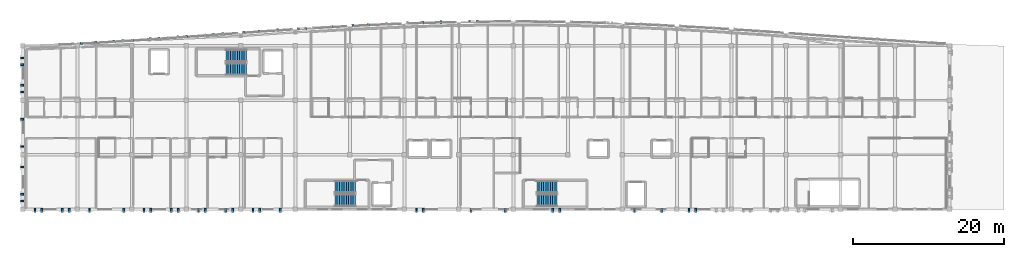
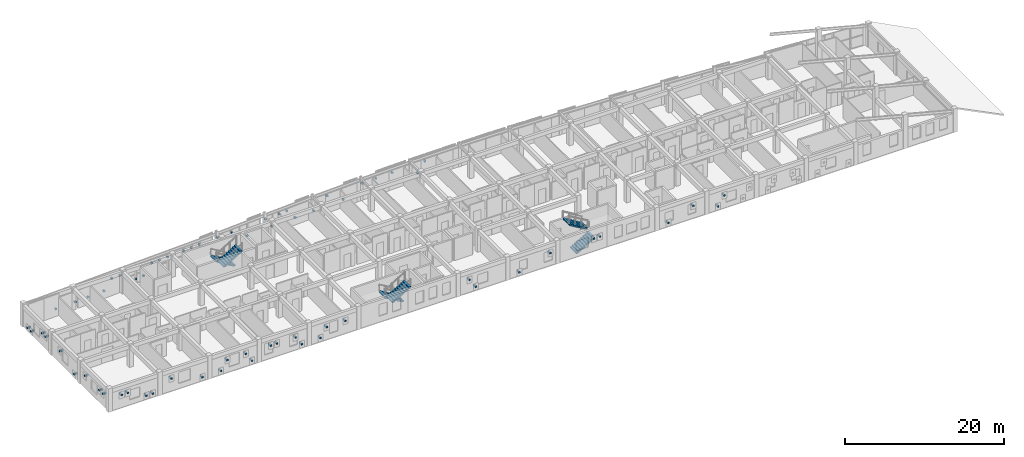
# One storey, part 42 of 45: 66 discrete accessories, 6 stair flights, 3 elements without a shape of their own.
"""IFC4 building model written with IfcOpenShell, lengths in metres."""

from ifc_helpers import new_model, si_unit, direction, frame, origin, origin_2d, place, context, subcontext, project, spatial, polyline, rectangle, outline, extrude, material, type_object, element, aggregate, save


model = new_model("IFC4")

# Units and contexts
model_context = context("Model", 3, precision=1e-05, world=origin(), true_north=direction((0.0, 1.0)))
body_context = subcontext(model_context, "Body", "Model", "MODEL_VIEW")
ifc_project = project(units=[si_unit("LENGTHUNIT", "METRE"), si_unit("AREAUNIT", "SQUARE_METRE"), si_unit("VOLUMEUNIT", "CUBIC_METRE"), si_unit("PLANEANGLEUNIT", "RADIAN"), si_unit("MASSUNIT", "GRAM", prefix="KILO")], contexts=[model_context])

# Site, building, storey
site_placement = place(None, origin())
site = spatial("IfcSite", under=ifc_project, at=site_placement, CompositionType="ELEMENT")
building_placement = place(site_placement, origin())
building = spatial("IfcBuilding", under=site, at=building_placement, Name="Carrowvane Square Congress Hotel", CompositionType="ELEMENT")
storey_placement = place(building_placement, frame((0.0, 0.0, 33.60009765625)))
storey = spatial("IfcBuildingStorey", under=building, at=storey_placement, Name="L08", CompositionType="ELEMENT", Elevation=33.60009765625)

# Stair, stair flights
ifc_material_1 = material(Name="Concrete C35/45", Category="concrete")
stair_type = type_object("IfcStairType", Name="STR-DOG-02", PredefinedType="HALF_TURN_STAIR", material=ifc_material_1)
stair_1_placement = place(storey_placement, origin())
stair_1 = element("IfcStair", 1, at=stair_1_placement, inside=storey, type_object=stair_type, Name="L08 Core C1 West Hotel Firefighting Stair", PredefinedType="HALF_TURN_STAIR")
ifc_material_2 = material(Name="Concrete C35/45", Category="concrete")
stair_flight_type = type_object("IfcStairFlightType", Name="SFL-STR-02", PredefinedType="STRAIGHT", material=ifc_material_2)
stair_flight_1_placement = place(storey_placement, frame((62.719970703125, 112.110107421875, 0.0), z_axis=(0.0, 0.0, 1.0), x_axis=(-1.0, 0.0, 0.0)))
stair_flight_1 = element("IfcStairFlight", 2, at=stair_flight_1_placement, type_object=stair_flight_type, Name="ST1 flight 1", NumberOfRisers=10, NumberOfTreads=9, PredefinedType="STRAIGHT", RiserHeight=0.18, TreadLength=0.3, context=body_context, shape_type="SweptSolid", body=[
    extrude(outline(polyline([(0.0, 0.0), (0.0, 0.179931640625), (0.300048828125, 0.179931640625), (0.300048828125, 0.360107421875), (0.60009765625, 0.360107421875), (0.60009765625, 0.5400390625), (0.89990234375, 0.5400390625), (0.89990234375, 0.719970703125), (1.199951171875, 0.719970703125), (1.199951171875, 0.89990234375), (1.5, 0.89990234375), (1.5, 1.080078125), (1.800048828125, 1.080078125), (1.800048828125, 1.260009765625), (2.10009765625, 1.260009765625), (2.10009765625, 1.43994140625), (2.39990234375, 1.43994140625), (2.39990234375, 1.6201171875), (2.699951171875, 1.6201171875), (2.699951171875, 1.800048828125), (2.699951171875, 1.445068359375), (0.291259765625, 0.0), (0.0, 0.0)])), frame((0.0, 0.7900390625, 0.0), z_axis=(0.0, -1.0, 0.0), x_axis=(1.0, 0.0, 0.0)), (0.0, 0.0, 1.0), 1.580078125),
])
stair_flight_2_placement = place(storey_placement, frame((60.02001953125, 110.330078125, 1.7998046875), z_axis=(0.0, 0.0, 1.0), x_axis=(1.0, 0.0, 0.0)))
stair_flight_2 = element("IfcStairFlight", 3, at=stair_flight_2_placement, type_object=stair_flight_type, Name="ST1 flight 2", NumberOfRisers=10, NumberOfTreads=9, PredefinedType="STRAIGHT", RiserHeight=0.18, TreadLength=0.3, context=body_context, shape_type="SweptSolid", body=[
    extrude(outline(polyline([(0.0, 0.0), (0.0, 0.179931640625), (0.300048828125, 0.179931640625), (0.300048828125, 0.360107421875), (0.60009765625, 0.360107421875), (0.60009765625, 0.5400390625), (0.89990234375, 0.5400390625), (0.89990234375, 0.719970703125), (1.199951171875, 0.719970703125), (1.199951171875, 0.89990234375), (1.5, 0.89990234375), (1.5, 1.080078125), (1.800048828125, 1.080078125), (1.800048828125, 1.260009765625), (2.10009765625, 1.260009765625), (2.10009765625, 1.43994140625), (2.39990234375, 1.43994140625), (2.39990234375, 1.6201171875), (2.699951171875, 1.6201171875), (2.699951171875, 1.800048828125), (2.699951171875, 1.445068359375), (0.291259765625, 0.0), (0.0, 0.0)])), frame((0.0, 0.7900390625, 0.0), z_axis=(0.0, -1.0, 0.0), x_axis=(1.0, 0.0, 0.0)), (0.0, 0.0, 1.0), 1.580078125),
])
aggregate(stair_1, [stair_flight_1, stair_flight_2])

stair_2_placement = place(storey_placement, origin())
stair_2 = element("IfcStair", 4, at=stair_2_placement, inside=storey, type_object=stair_type, Name="L08 Core C2 Central Hotel Firefighting Stair", PredefinedType="HALF_TURN_STAIR")
stair_flight_3_placement = place(storey_placement, frame((77.1201171875, 94.77001953125, 0.0), z_axis=(0.0, 0.0, 1.0), x_axis=(-1.0, 0.0, 0.0)))
stair_flight_3 = element("IfcStairFlight", 5, at=stair_flight_3_placement, type_object=stair_flight_type, Name="ST2 flight 1", NumberOfRisers=10, NumberOfTreads=9, PredefinedType="STRAIGHT", RiserHeight=0.18, TreadLength=0.3, context=body_context, shape_type="SweptSolid", body=[
    extrude(outline(polyline([(0.0, 0.0), (0.0, 0.179931640625), (0.300048828125, 0.179931640625), (0.300048828125, 0.360107421875), (0.60009765625, 0.360107421875), (0.60009765625, 0.5400390625), (0.89990234375, 0.5400390625), (0.89990234375, 0.719970703125), (1.199951171875, 0.719970703125), (1.199951171875, 0.89990234375), (1.5, 0.89990234375), (1.5, 1.080078125), (1.800048828125, 1.080078125), (1.800048828125, 1.260009765625), (2.10009765625, 1.260009765625), (2.10009765625, 1.43994140625), (2.39990234375, 1.43994140625), (2.39990234375, 1.6201171875), (2.699951171875, 1.6201171875), (2.699951171875, 1.800048828125), (2.699951171875, 1.445068359375), (0.291259765625, 0.0), (0.0, 0.0)])), frame((0.0, 0.7900390625, 0.0), z_axis=(0.0, -1.0, 0.0), x_axis=(1.0, 0.0, 0.0)), (0.0, 0.0, 1.0), 1.580078125),
])
stair_flight_4_placement = place(storey_placement, frame((74.419921875, 92.989990234375, 1.7998046875), z_axis=(0.0, 0.0, 1.0), x_axis=(1.0, 0.0, 0.0)))
stair_flight_4 = element("IfcStairFlight", 6, at=stair_flight_4_placement, type_object=stair_flight_type, Name="ST2 flight 2", NumberOfRisers=10, NumberOfTreads=9, PredefinedType="STRAIGHT", RiserHeight=0.18, TreadLength=0.3, context=body_context, shape_type="SweptSolid", body=[
    extrude(outline(polyline([(0.0, 0.0), (0.0, 0.179931640625), (0.300048828125, 0.179931640625), (0.300048828125, 0.360107421875), (0.60009765625, 0.360107421875), (0.60009765625, 0.5400390625), (0.89990234375, 0.5400390625), (0.89990234375, 0.719970703125), (1.199951171875, 0.719970703125), (1.199951171875, 0.89990234375), (1.5, 0.89990234375), (1.5, 1.080078125), (1.800048828125, 1.080078125), (1.800048828125, 1.260009765625), (2.10009765625, 1.260009765625), (2.10009765625, 1.43994140625), (2.39990234375, 1.43994140625), (2.39990234375, 1.6201171875), (2.699951171875, 1.6201171875), (2.699951171875, 1.800048828125), (2.699951171875, 1.445068359375), (0.291259765625, 0.0), (0.0, 0.0)])), frame((0.0, 0.7900390625, 0.0), z_axis=(0.0, -1.0, 0.0), x_axis=(1.0, 0.0, 0.0)), (0.0, 0.0, 1.0), 1.580078125),
])
aggregate(stair_2, [stair_flight_3, stair_flight_4])

stair_3_placement = place(storey_placement, origin())
stair_3 = element("IfcStair", 7, at=stair_3_placement, inside=storey, type_object=stair_type, Name="L08 Core C3 East Hotel Escape Stair", PredefinedType="HALF_TURN_STAIR")
stair_flight_5_placement = place(storey_placement, frame((101.080078125, 92.989990234375, 0.0), z_axis=(0.0, 0.0, 1.0), x_axis=(1.0, 0.0, 0.0)))
stair_flight_5 = element("IfcStairFlight", 8, at=stair_flight_5_placement, type_object=stair_flight_type, Name="ST3 flight 1", NumberOfRisers=10, NumberOfTreads=9, PredefinedType="STRAIGHT", RiserHeight=0.18, TreadLength=0.3, context=body_context, shape_type="SweptSolid", body=[
    extrude(outline(polyline([(0.0, 0.0), (0.0, 0.179931640625), (0.300048828125, 0.179931640625), (0.300048828125, 0.360107421875), (0.60009765625, 0.360107421875), (0.60009765625, 0.5400390625), (0.89990234375, 0.5400390625), (0.89990234375, 0.719970703125), (1.199951171875, 0.719970703125), (1.199951171875, 0.89990234375), (1.5, 0.89990234375), (1.5, 1.080078125), (1.800048828125, 1.080078125), (1.800048828125, 1.260009765625), (2.10009765625, 1.260009765625), (2.10009765625, 1.43994140625), (2.39990234375, 1.43994140625), (2.39990234375, 1.6201171875), (2.699951171875, 1.6201171875), (2.699951171875, 1.800048828125), (2.699951171875, 1.445068359375), (0.291259765625, 0.0), (0.0, 0.0)])), frame((0.0, 0.7900390625, 0.0), z_axis=(0.0, -1.0, 0.0), x_axis=(1.0, 0.0, 0.0)), (0.0, 0.0, 1.0), 1.580078125),
])
stair_flight_6_placement = place(storey_placement, frame((103.780029296875, 94.77001953125, 1.7998046875), z_axis=(0.0, 0.0, 1.0), x_axis=(-1.0, 0.0, 0.0)))
stair_flight_6 = element("IfcStairFlight", 9, at=stair_flight_6_placement, type_object=stair_flight_type, Name="ST3 flight 2", NumberOfRisers=10, NumberOfTreads=9, PredefinedType="STRAIGHT", RiserHeight=0.18, TreadLength=0.3, context=body_context, shape_type="SweptSolid", body=[
    extrude(outline(polyline([(0.0, 0.0), (0.0, 0.179931640625), (0.300048828125, 0.179931640625), (0.300048828125, 0.360107421875), (0.60009765625, 0.360107421875), (0.60009765625, 0.5400390625), (0.89990234375, 0.5400390625), (0.89990234375, 0.719970703125), (1.199951171875, 0.719970703125), (1.199951171875, 0.89990234375), (1.5, 0.89990234375), (1.5, 1.080078125), (1.800048828125, 1.080078125), (1.800048828125, 1.260009765625), (2.10009765625, 1.260009765625), (2.10009765625, 1.43994140625), (2.39990234375, 1.43994140625), (2.39990234375, 1.6201171875), (2.699951171875, 1.6201171875), (2.699951171875, 1.800048828125), (2.699951171875, 1.445068359375), (0.291259765625, 0.0), (0.0, 0.0)])), frame((0.0, 0.7900390625, 0.0), z_axis=(0.0, -1.0, 0.0), x_axis=(1.0, 0.0, 0.0)), (0.0, 0.0, 1.0), 1.580078125),
])
aggregate(stair_3, [stair_flight_5, stair_flight_6])

# Discrete accessories
ifc_material_3 = material(Name="Stainless steel 316", Category="steel")
discrete_accessory_type = type_object("IfcDiscreteAccessoryType", Name="ACC-BRK-SS", PredefinedType="BRACKET", material=ifc_material_3)
for number, where, z_axis, x_axis, name in (
    (10, (38.03125, 113.62255859375, 0.56005859375), (0.0, 0.0, 1.0), (0.99891730083, 0.046521243556, 0.0), "Pixel screen mullion bracket 758"),
    (11, (40.888916015625, 113.759033203125, 0.56005859375), (0.0, 0.0, 1.0), (0.998566941363, 0.053516947007, 0.0), "Pixel screen mullion bracket 759"),
    (12, (42.830322265625, 113.86328125, 0.56005859375), (0.0, 0.0, 1.0), (0.998258866948, 0.05898503675, 0.0), "Pixel screen mullion bracket 760"),
    (13, (45.224853515625, 114.0048828125, 0.56005859375), (0.0, 0.0, 1.0), (0.997996022269, 0.063276690295, 0.0), "Pixel screen mullion bracket 761"),
    (14, (46.39501953125, 114.0791015625, 2.02978515625), (0.0, 0.0, 1.0), (0.997996022269, 0.063276690295, 0.0), "Pixel screen mullion bracket 762"),
    (15, (47.629638671875, 114.157470703125, 2.02978515625), (0.0, 0.0, 1.0), (0.997781458784, 0.066574473385, 0.0), "Pixel screen mullion bracket 763"),
    (16, (50.0244140625, 114.3173828125, 0.56005859375), (0.0, 0.0, 1.0), (0.99761759323, 0.068986503591, 0.0), "Pixel screen mullion bracket 764"),
    (17, (51.194580078125, 114.398193359375, 0.56005859375), (0.0, 0.0, 1.0), (0.99761759323, 0.068986503591, 0.0), "Pixel screen mullion bracket 765"),
    (18, (52.42919921875, 114.483642578125, 2.02978515625), (0.0, 0.0, 1.0), (0.997505756275, 0.070585169822, 0.0), "Pixel screen mullion bracket 766"),
    (19, (53.59423828125, 114.566162109375, 2.02978515625), (0.0, 0.0, 1.0), (0.997505756275, 0.070585169822, 0.0), "Pixel screen mullion bracket 767"),
    (20, (54.82421875, 114.6533203125, 2.02978515625), (0.0, 0.0, 1.0), (0.997446326449, 0.071420066188, 0.0), "Pixel screen mullion bracket 768"),
    (21, (57.229248046875, 114.825439453125, 2.02978515625), (0.0, 0.0, 1.0), (0.997438267187, 0.071532532122, 0.0), "Pixel screen mullion bracket 769"),
    (22, (58.394287109375, 114.908935546875, 2.02978515625), (0.0, 0.0, 1.0), (0.997438267187, 0.071532532122, 0.0), "Pixel screen mullion bracket 770"),
    (23, (59.624267578125, 114.9970703125, 2.02978515625), (0.0, 0.0, 1.0), (0.997479379392, 0.070956942496, 0.0), "Pixel screen mullion bracket 771"),
    (24, (62.386474609375, 115.193115234375, 2.02978515625), (0.0, 0.0, 1.0), (0.997566258056, 0.069724893606, 0.0), "Pixel screen mullion bracket 772"),
    (25, (64.424560546875, 115.33544921875, 2.02978515625), (0.0, 0.0, 1.0), (0.9976944394, 0.067866085713, 0.0), "Pixel screen mullion bracket 773"),
    (26, (66.82958984375, 115.4990234375, 0.56005859375), (0.0, 0.0, 1.0), (0.99785825325, 0.065413350476, 0.0), "Pixel screen mullion bracket 774"),
    (27, (69.5849609375, 115.678466796875, 2.02978515625), (0.0, 0.0, 1.0), (0.998051413269, 0.062396926785, 0.0), "Pixel screen mullion bracket 775"),
    (28, (70.574951171875, 115.740478515625, 0.56005859375), (0.0, 0.0, 1.0), (0.998051413269, 0.062396926785, 0.0), "Pixel screen mullion bracket 776"),
    (29, (71.630126953125, 115.80615234375, 2.02978515625), (0.0, 0.0, 1.0), (0.998266695506, 0.05885239709, 0.0), "Pixel screen mullion bracket 777"),
    (30, (72.79541015625, 115.875, 2.02978515625), (0.0, 0.0, 1.0), (0.998266695506, 0.05885239709, 0.0), "Pixel screen mullion bracket 778"),
    (31, (74.025634765625, 115.947265625, 0.56005859375), (0.0, 0.0, 1.0), (0.998496552462, 0.054814548441, 0.0), "Pixel screen mullion bracket 779"),
    (32, (76.79541015625, 116.09765625, 0.56005859375), (0.0, 0.0, 1.0), (0.998733066647, 0.050321581706, 0.0), "Pixel screen mullion bracket 780"),
    (33, (78.826416015625, 116.19970703125, 2.02978515625), (0.0, 0.0, 1.0), (0.998968255262, 0.045413929349, 0.0), "Pixel screen mullion bracket 781"),
    (34, (81.231689453125, 116.308837890625, 0.56005859375), (0.0, 0.0, 1.0), (0.999194294234, 0.040134304148, 0.0), "Pixel screen mullion bracket 782"),
    (35, (83.997802734375, 116.417724609375, 2.02978515625), (0.0, 0.0, 1.0), (0.999403768784, 0.034526901703, 0.0), "Pixel screen mullion bracket 783"),
    (36, (86.03271484375, 116.48779296875, 2.02978515625), (0.0, 0.0, 1.0), (0.999589805464, 0.028639497417, 0.0), "Pixel screen mullion bracket 784"),
    (37, (88.42822265625, 116.556396484375, 2.02978515625), (0.0, 0.0, 1.0), (0.999746418061, 0.022518871507, 0.0), "Pixel screen mullion bracket 785"),
    (38, (92.1875, 116.63232421875, 0.56005859375), (0.0, 0.0, 1.0), (0.999868508772, 0.016216200758, 0.0), "Pixel screen mullion bracket 786"),
    (39, (93.229248046875, 116.64892578125, 2.02978515625), (0.0, 0.0, 1.0), (0.999952150705, 0.009782448565, 0.0), "Pixel screen mullion bracket 787"),
):
    element("IfcDiscreteAccessory", number, at=place(storey_placement, frame(where, z_axis=z_axis, x_axis=x_axis)), inside=storey, type_object=discrete_accessory_type, Name=name, PredefinedType="BRACKET", context=body_context, shape_type="SweptSolid", body=[
        extrude(rectangle(XDim=0.239990234375, YDim=0.280029296875, at=origin_2d()), origin(), (0.0, 0.0, 1.0), 0.239990234375),
    ])
for number, where, z_axis, x_axis, name in (
    (40, (122.10009765625, 91.675048828125, 1.9296875), (0.0, 0.0, 1.0), (-1.0, 0.0, 0.0), "V5 pixel screen bracket 831"),
    (41, (121.199951171875, 91.675048828125, 0.56005859375), (0.0, 0.0, 1.0), (-1.0, 0.0, 0.0), "V5 pixel screen bracket 832"),
    (42, (117.60009765625, 91.675048828125, 1.9296875), (0.0, 0.0, 1.0), (-1.0, 0.0, 0.0), "V5 pixel screen bracket 833"),
    (43, (114.0, 91.675048828125, 0.56005859375), (0.0, 0.0, 1.0), (-1.0, 0.0, 0.0), "V5 pixel screen bracket 834"),
    (44, (104.10009765625, 91.675048828125, 1.9296875), (0.0, 0.0, 1.0), (-1.0, 0.0, 0.0), "V5 pixel screen bracket 835"),
    (45, (103.199951171875, 91.675048828125, 1.9296875), (0.0, 0.0, 1.0), (-1.0, 0.0, 0.0), "V5 pixel screen bracket 836"),
    (46, (96.89990234375, 91.675048828125, 1.9296875), (0.0, 0.0, 1.0), (-1.0, 0.0, 0.0), "V5 pixel screen bracket 837"),
    (47, (92.39990234375, 91.675048828125, 0.56005859375), (0.0, 0.0, 1.0), (-1.0, 0.0, 0.0), "V5 pixel screen bracket 838"),
    (48, (86.10009765625, 91.675048828125, 0.56005859375), (0.0, 0.0, 1.0), (-1.0, 0.0, 0.0), "V5 pixel screen bracket 839"),
    (49, (85.199951171875, 91.675048828125, 1.9296875), (0.0, 0.0, 1.0), (-1.0, 0.0, 0.0), "V5 pixel screen bracket 840"),
    (50, (67.199951171875, 91.675048828125, 1.9296875), (0.0, 0.0, 1.0), (-1.0, 0.0, 0.0), "V5 pixel screen bracket 841"),
    (51, (64.5, 91.675048828125, 1.9296875), (0.0, 0.0, 1.0), (-1.0, 0.0, 0.0), "V5 pixel screen bracket 842"),
    (52, (63.60009765625, 91.675048828125, 0.56005859375), (0.0, 0.0, 1.0), (-1.0, 0.0, 0.0), "V5 pixel screen bracket 843"),
    (53, (60.89990234375, 91.675048828125, 0.56005859375), (0.0, 0.0, 1.0), (-1.0, 0.0, 0.0), "V5 pixel screen bracket 844"),
    (54, (60.0, 91.675048828125, 1.9296875), (0.0, 0.0, 1.0), (-1.0, 0.0, 0.0), "V5 pixel screen bracket 845"),
    (55, (57.300048828125, 91.675048828125, 1.9296875), (0.0, 0.0, 1.0), (-1.0, 0.0, 0.0), "V5 pixel screen bracket 846"),
    (56, (56.39990234375, 91.675048828125, 1.9296875), (0.0, 0.0, 1.0), (-1.0, 0.0, 0.0), "V5 pixel screen bracket 847"),
    (57, (53.699951171875, 91.675048828125, 0.56005859375), (0.0, 0.0, 1.0), (-1.0, 0.0, 0.0), "V5 pixel screen bracket 848"),
    (58, (52.800048828125, 91.675048828125, 1.9296875), (0.0, 0.0, 1.0), (-1.0, 0.0, 0.0), "V5 pixel screen bracket 849"),
    (59, (50.10009765625, 91.675048828125, 1.9296875), (0.0, 0.0, 1.0), (-1.0, 0.0, 0.0), "V5 pixel screen bracket 850"),
    (60, (49.199951171875, 91.675048828125, 0.56005859375), (0.0, 0.0, 1.0), (-1.0, 0.0, 0.0), "V5 pixel screen bracket 851"),
    (61, (46.5, 91.675048828125, 0.56005859375), (0.0, 0.0, 1.0), (-1.0, 0.0, 0.0), "V5 pixel screen bracket 852"),
    (62, (42.0, 91.675048828125, 1.9296875), (0.0, 0.0, 1.0), (-1.0, 0.0, 0.0), "V5 pixel screen bracket 853"),
    (63, (39.300048828125, 91.675048828125, 0.56005859375), (0.0, 0.0, 1.0), (-1.0, 0.0, 0.0), "V5 pixel screen bracket 854"),
    (64, (38.39990234375, 91.675048828125, 0.56005859375), (0.0, 0.0, 1.0), (-1.0, 0.0, 0.0), "V5 pixel screen bracket 855"),
    (65, (35.699951171875, 91.675048828125, 1.9296875), (0.0, 0.0, 1.0), (-1.0, 0.0, 0.0), "V5 pixel screen bracket 856"),
    (66, (34.800048828125, 91.675048828125, 1.9296875), (0.0, 0.0, 1.0), (-1.0, 0.0, 0.0), "V5 pixel screen bracket 857"),
    (67, (33.074951171875, 92.89990234375, 1.9248046875), (0.0, 0.0, 1.0), (0.0, 1.0, 0.0), "V5 pixel screen bracket 858"),
    (68, (33.074951171875, 93.800048828125, 1.9248046875), (0.0, 0.0, 1.0), (0.0, 1.0, 0.0), "V5 pixel screen bracket 859"),
    (69, (33.074951171875, 97.39990234375, 1.9248046875), (0.0, 0.0, 1.0), (0.0, 1.0, 0.0), "V5 pixel screen bracket 860"),
    (70, (33.074951171875, 100.10009765625, 0.56005859375), (0.0, 0.0, 1.0), (0.0, 1.0, 0.0), "V5 pixel screen bracket 861"),
    (71, (33.074951171875, 103.699951171875, 1.9248046875), (0.0, 0.0, 1.0), (0.0, 1.0, 0.0), "V5 pixel screen bracket 862"),
    (72, (33.074951171875, 107.300048828125, 1.9248046875), (0.0, 0.0, 1.0), (0.0, 1.0, 0.0), "V5 pixel screen bracket 863"),
    (73, (33.074951171875, 108.199951171875, 1.9248046875), (0.0, 0.0, 1.0), (0.0, 1.0, 0.0), "V5 pixel screen bracket 864"),
    (74, (33.074951171875, 110.89990234375, 0.56005859375), (0.0, 0.0, 1.0), (0.0, 1.0, 0.0), "V5 pixel screen bracket 865"),
    (75, (33.074951171875, 111.800048828125, 0.56005859375), (0.0, 0.0, 1.0), (0.0, 1.0, 0.0), "V5 pixel screen bracket 866"),
):
    element("IfcDiscreteAccessory", number, at=place(storey_placement, frame(where, z_axis=z_axis, x_axis=x_axis)), inside=storey, type_object=discrete_accessory_type, Name=name, PredefinedType="BRACKET", context=body_context, shape_type="SweptSolid", body=[
        extrude(rectangle(XDim=0.239990234375, YDim=0.52001953125, at=origin_2d()), origin(), (0.0, 0.0, 1.0), 0.239990234375),
    ])

save(model, "model.ifc")
